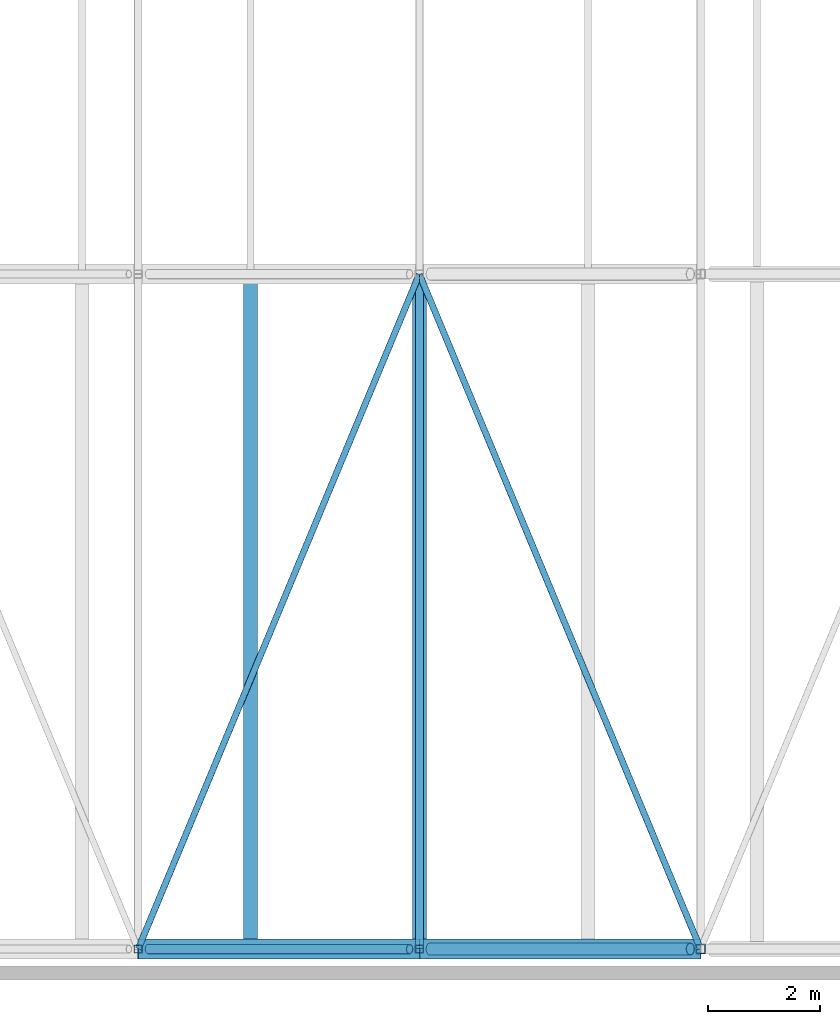
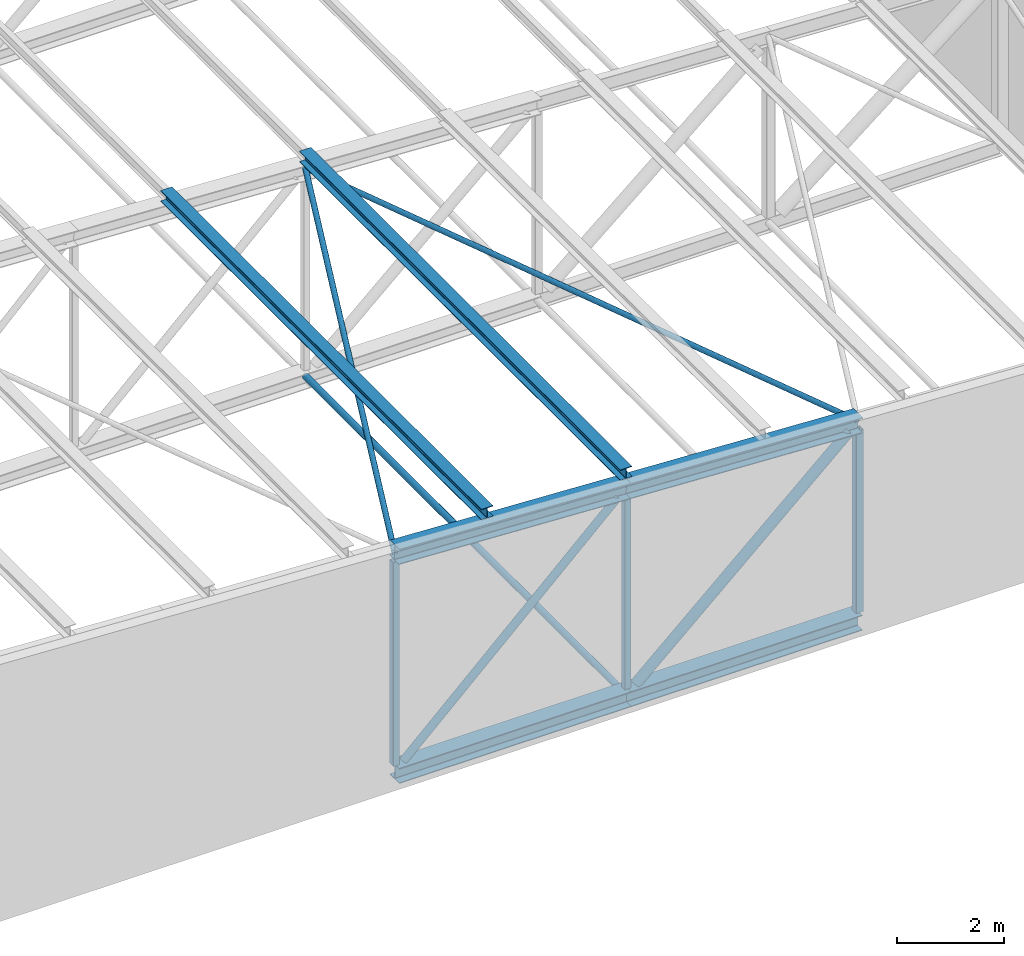
# One storey, part 38 of 156: 14 members.
"""IFC4 building model written with IfcOpenShell, lengths in metres."""

from ifc_helpers import new_model, si_unit, direction, frame, origin, origin_2d, place, context, subcontext, project, spatial, hollow_rectangle, hollow_circle, i_section, extrude, material, material_profile, profile_set, type_object, element, save


model = new_model("IFC4")

# Units and contexts
model_context = context("Model", 3, precision=1e-05, world=origin(), true_north=direction((0.0, 1.0)))
body_context = subcontext(model_context, "Body", "Model", "MODEL_VIEW")
ifc_project = project(units=[si_unit("LENGTHUNIT", "METRE"), si_unit("AREAUNIT", "SQUARE_METRE"), si_unit("VOLUMEUNIT", "CUBIC_METRE"), si_unit("PLANEANGLEUNIT", "RADIAN"), si_unit("MASSUNIT", "GRAM", prefix="KILO")], contexts=[model_context])

# Site, building, storey
site_placement = place(None, origin())
site = spatial("IfcSite", under=ifc_project, at=site_placement, CompositionType="ELEMENT")
building_placement = place(site_placement, origin())
building = spatial("IfcBuilding", under=site, at=building_placement, Name="Lilac Gate Convention Centre", CompositionType="ELEMENT")
storey_placement = place(building_placement, frame((0.0, 0.0, 17.0)))
storey = spatial("IfcBuildingStorey", under=building, at=storey_placement, Name="L03", CompositionType="ELEMENT", Elevation=17.0)

# Members
ifc_material = material(Name="Steel Q355B", Category="steel")
ifc_material_profile_1 = material_profile(ifc_material, hollow_circle(Radius=0.06982421875, WallThickness=0.0048828125, at=origin_2d()), Name="CHS139.7x5")
ifc_profile_set_1 = profile_set([ifc_material_profile_1], Name="Steel Q355B")
member_type_1 = type_object("IfcMemberType", Name="Bottom chord tie CHS139.7x5", PredefinedType="STRUT", material=ifc_profile_set_1)
member_1_placement = place(storey_placement, frame((75.0, 30.006103515625, 0.0), z_axis=(0.0, 1.0, 0.0), x_axis=(-1.0, 0.0, 0.0)))
element("IfcMember", 1, at=member_1_placement, inside=storey, type_object=member_type_1, Name="ST1 tie bay 1 node 10", PredefinedType="STRUT", context=body_context, shape_type="SweptSolid", body=[
    extrude(hollow_circle(Radius=0.06982421875, WallThickness=0.0048828125, at=origin_2d()), origin(), (0.0, 0.0, 1.0), 11.98779296875),
])
ifc_material_profile_2 = material_profile(ifc_material, hollow_circle(Radius=0.05712890625, WallThickness=0.0048828125, at=origin_2d()), Name="CHS114.3x5")
ifc_profile_set_2 = profile_set([ifc_material_profile_2], Name="Steel Q355B")
member_type_2 = type_object("IfcMemberType", Name="Roof plane bracing CHS114.3x5", PredefinedType="BRACE", material=ifc_profile_set_2)
for number, where, z_axis, x_axis, name in (
    (2, (70.00244140625, 30.006103515625, 5.0), (0.384557486582, 0.922900376645, -0.019246669905), (-0.923071361129, 0.384628733019, 0.0), "BR1 plan bracing bay 1 panel 9"),
    (3, (75.00244140625, 41.993896484375, 4.75), (0.384557486582, -0.922900376645, -0.019246669905), (0.923071361129, 0.384628733019, 0.0), "BR1 plan bracing bay 1 panel 10"),
):
    element("IfcMember", number, at=place(storey_placement, frame(where, z_axis=z_axis, x_axis=x_axis)), inside=storey, type_object=member_type_2, Name=name, PredefinedType="BRACE", context=body_context, shape_type="SweptSolid", body=[
        extrude(hollow_circle(Radius=0.05712890625, WallThickness=0.0048828125, at=origin_2d()), origin(), (0.0, 0.0, 1.0), 12.9892578125),
    ])
ifc_material_profile_3 = material_profile(ifc_material, i_section(OverallWidth=0.25, OverallDepth=0.25, WebThickness=0.009033203125, FlangeThickness=0.013916015625, FilletRadius=0.012939453125, at=origin_2d()), Name="HW250x250x9x14")
ifc_profile_set_3 = profile_set([ifc_material_profile_3], Name="Steel Q355B")
member_type_3 = type_object("IfcMemberType", Name="Roof purlin HW250x250x9x14", PredefinedType="PURLIN", material=ifc_profile_set_3)
for number, where, z_axis, x_axis, name in (
    (4, (72.0, 30.0, 5.2001953125), (0.0, 1.0, 0.0), (-1.0, 0.0, 0.0), "PU1 purlin bay 1 line 15"),
    (5, (75.0, 30.0, 5.05029296875), (0.0, 1.0, 0.0), (-1.0, 0.0, 0.0), "PU1 purlin bay 1 line 16"),
):
    element("IfcMember", number, at=place(storey_placement, frame(where, z_axis=z_axis, x_axis=x_axis)), inside=storey, type_object=member_type_3, Name=name, PredefinedType="PURLIN", context=body_context, shape_type="SweptSolid", body=[
        extrude(i_section(OverallWidth=0.25, OverallDepth=0.25, WebThickness=0.009033203125, FlangeThickness=0.013916015625, FilletRadius=0.012939453125, at=origin_2d()), origin(), (0.0, 0.0, 1.0), 12.0),
    ])
ifc_material_profile_4 = material_profile(ifc_material, i_section(OverallWidth=0.35009765625, OverallDepth=0.35009765625, WebThickness=0.011962890625, FlangeThickness=0.01904296875, FilletRadius=0.012939453125, at=origin_2d()), Name="HW350x350x12x19")
ifc_profile_set_4 = profile_set([ifc_material_profile_4], Name="Steel Q355B")
member_type_4 = type_object("IfcMemberType", Name="Truss bottom chord HW350x350x12x19", PredefinedType="CHORD", material=ifc_profile_set_4)
for number, where, z_axis, x_axis, name in (
    (6, (70.0, 30.0, 0.0), (1.0, 0.0, 0.0), (0.0, 1.0, 0.0), "TB2 truss 1 bottom chord 9"),
    (7, (75.0, 30.0, 0.0), (1.0, 0.0, 0.0), (0.0, 1.0, 0.0), "TB2 truss 1 bottom chord 10"),
):
    element("IfcMember", number, at=place(storey_placement, frame(where, z_axis=z_axis, x_axis=x_axis)), inside=storey, type_object=member_type_4, Name=name, PredefinedType="CHORD", context=body_context, shape_type="SweptSolid", body=[
        extrude(i_section(OverallWidth=0.35009765625, OverallDepth=0.35009765625, WebThickness=0.011962890625, FlangeThickness=0.01904296875, FilletRadius=0.012939453125, at=origin_2d()), origin(), (0.0, 0.0, 1.0), 5.0),
    ])
ifc_material_profile_5 = material_profile(ifc_material, hollow_circle(Radius=0.084228515625, WallThickness=0.006103515625, at=origin_2d()), Name="CHS168.3x6")
ifc_profile_set_5 = profile_set([ifc_material_profile_5], Name="Steel Q355B")
member_type_5 = type_object("IfcMemberType", Name="Truss diagonal CHS168.3x6", PredefinedType="BRACE", material=ifc_profile_set_5)
member_2_placement = place(storey_placement, frame((74.8271484375, 30.0, 4.585693359375), z_axis=(-0.725020373275, 0.0, -0.688727419475), x_axis=(0.0, -1.0, 0.0)))
element("IfcMember", 8, at=member_2_placement, inside=storey, type_object=member_type_5, Name="TW4 truss 1 diagonal 9", PredefinedType="BRACE", context=body_context, shape_type="SweptSolid", body=[
    extrude(hollow_circle(Radius=0.084228515625, WallThickness=0.006103515625, at=origin_2d()), origin(), (0.0, 0.0, 1.0), 6.404052734375),
])
ifc_material_profile_6 = material_profile(ifc_material, hollow_circle(Radius=0.109619140625, WallThickness=0.008056640625, at=origin_2d()), Name="CHS219.1x8")
ifc_profile_set_6 = profile_set([ifc_material_profile_6], Name="Steel Q355B")
member_type_6 = type_object("IfcMemberType", Name="Truss diagonal CHS219.1x8", PredefinedType="BRACE", material=ifc_profile_set_6)
member_3_placement = place(storey_placement, frame((79.8173828125, 30.0, 4.335693359375), z_axis=(-0.743301953498, 0.0, -0.668956056797), x_axis=(0.0, -1.0, 0.0)))
element("IfcMember", 9, at=member_3_placement, inside=storey, type_object=member_type_6, Name="TW3 truss 1 diagonal 10", PredefinedType="BRACE", context=body_context, shape_type="SweptSolid", body=[
    extrude(hollow_circle(Radius=0.109619140625, WallThickness=0.008056640625, at=origin_2d()), origin(), (0.0, 0.0, 1.0), 6.2197265625),
])
ifc_material_profile_7 = material_profile(ifc_material, i_section(OverallWidth=0.35009765625, OverallDepth=0.35009765625, WebThickness=0.011962890625, FlangeThickness=0.01904296875, FilletRadius=0.012939453125, at=origin_2d()), Name="HW350x350x12x19")
ifc_profile_set_7 = profile_set([ifc_material_profile_7], Name="Steel Q355B")
member_type_7 = type_object("IfcMemberType", Name="Truss top chord HW350x350x12x19", PredefinedType="CHORD", material=ifc_profile_set_7)
for number, where, z_axis, x_axis, name in (
    (10, (70.0, 30.0, 5.0), (0.998752338878, 0.0, -0.049937616944), (0.0, 1.0, 0.0), "TT2 truss 1 top chord 9"),
    (11, (75.0, 30.0, 4.75), (0.998752338878, 0.0, -0.049937616944), (0.0, 1.0, 0.0), "TT2 truss 1 top chord 10"),
):
    element("IfcMember", number, at=place(storey_placement, frame(where, z_axis=z_axis, x_axis=x_axis)), inside=storey, type_object=member_type_7, Name=name, PredefinedType="CHORD", context=body_context, shape_type="SweptSolid", body=[
        extrude(i_section(OverallWidth=0.35009765625, OverallDepth=0.35009765625, WebThickness=0.011962890625, FlangeThickness=0.01904296875, FilletRadius=0.012939453125, at=origin_2d()), origin(), (0.0, 0.0, 1.0), 5.00634765625),
    ])
ifc_material_profile_8 = material_profile(ifc_material, hollow_rectangle(XDim=0.139892578125, YDim=0.139892578125, WallThickness=0.0048828125, InnerFilletRadius=0.0048828125, OuterFilletRadius=0.010009765625, at=origin_2d()), Name="SHS140x140x5")
ifc_profile_set_8 = profile_set([ifc_material_profile_8], Name="Steel Q355B")
member_type_8 = type_object("IfcMemberType", Name="Truss vertical SHS140x140x5", PredefinedType="STRUT", material=ifc_profile_set_8)
member_4_placement = place(storey_placement, frame((70.0, 30.0, 0.175048828125), z_axis=(0.0, 0.0, 1.0), x_axis=(1.0, 0.0, 0.0)))
element("IfcMember", 12, at=member_4_placement, inside=storey, type_object=member_type_8, Name="TV4 truss 1 vertical 9", PredefinedType="STRUT", context=body_context, shape_type="SweptSolid", body=[
    extrude(hollow_rectangle(XDim=0.139892578125, YDim=0.139892578125, WallThickness=0.0048828125, InnerFilletRadius=0.0048828125, OuterFilletRadius=0.010009765625, at=origin_2d()), origin(), (0.0, 0.0, 1.0), 4.649658203125),
])
member_5_placement = place(storey_placement, frame((75.0, 30.0, 0.175048828125), z_axis=(0.0, 0.0, 1.0), x_axis=(1.0, 0.0, 0.0)))
element("IfcMember", 13, at=member_5_placement, inside=storey, type_object=member_type_8, Name="TV4 truss 1 vertical 10", PredefinedType="STRUT", context=body_context, shape_type="SweptSolid", body=[
    extrude(hollow_rectangle(XDim=0.139892578125, YDim=0.139892578125, WallThickness=0.0048828125, InnerFilletRadius=0.0048828125, OuterFilletRadius=0.010009765625, at=origin_2d()), origin(), (0.0, 0.0, 1.0), 4.399658203125),
])
ifc_material_profile_9 = material_profile(ifc_material, hollow_rectangle(XDim=0.159912109375, YDim=0.159912109375, WallThickness=0.006103515625, InnerFilletRadius=0.006103515625, OuterFilletRadius=0.011962890625, at=origin_2d()), Name="SHS160x160x6")
ifc_profile_set_9 = profile_set([ifc_material_profile_9], Name="Steel Q355B")
member_type_9 = type_object("IfcMemberType", Name="Truss vertical SHS160x160x6", PredefinedType="STRUT", material=ifc_profile_set_9)
member_6_placement = place(storey_placement, frame((80.0, 30.0, 0.175048828125), z_axis=(0.0, 0.0, 1.0), x_axis=(1.0, 0.0, 0.0)))
element("IfcMember", 14, at=member_6_placement, inside=storey, type_object=member_type_9, Name="TV3 truss 1 vertical 11", PredefinedType="STRUT", context=body_context, shape_type="SweptSolid", body=[
    extrude(hollow_rectangle(XDim=0.159912109375, YDim=0.159912109375, WallThickness=0.006103515625, InnerFilletRadius=0.006103515625, OuterFilletRadius=0.011962890625, at=origin_2d()), origin(), (0.0, 0.0, 1.0), 4.149658203125),
])

save(model, "model.ifc")
